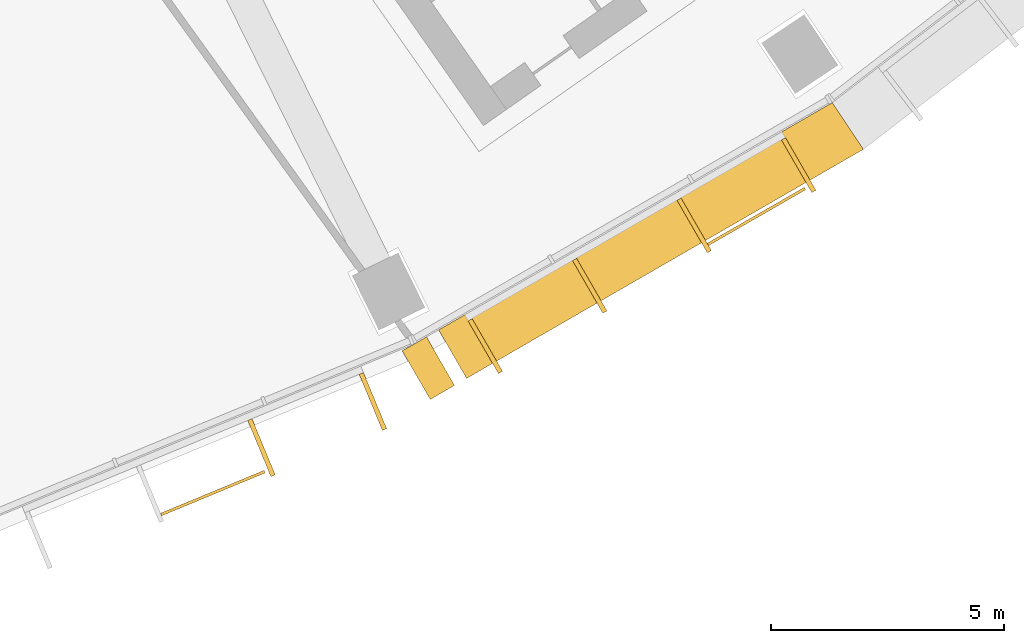
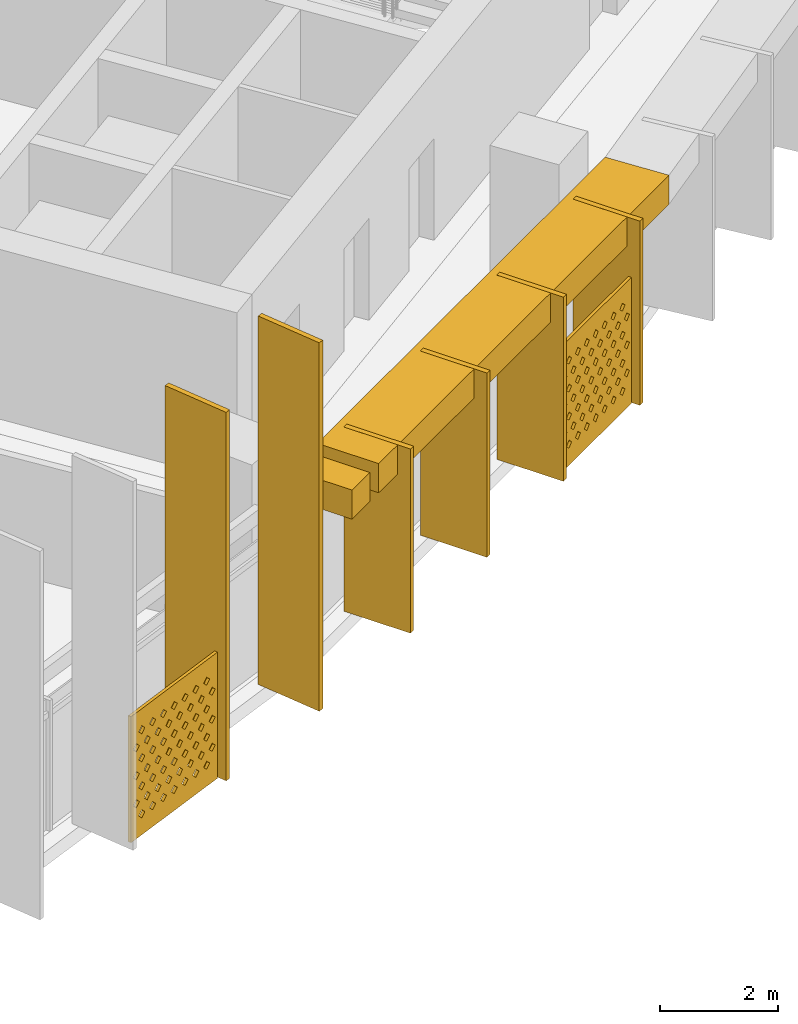
# One storey, part 27 of 31: 10 shading devices.
"""IFC4 building model written with IfcOpenShell, lengths in metres."""

import ifcopenshell
import ifcopenshell.guid

model = None  # the IFC model being written
_history = None  # IfcOwnerHistory: only IFC2X3 demands one
_inside = {}  # id of a spatial element -> (the spatial element, [elements in it])
_under = {}  # id of a project, library or spatial element -> (it, [spatial elements below it])
_declared = {}  # id of a project -> (the project, [libraries it declares])
_typed = {}  # id of a type object -> (the type object, [elements of that type])
_made_of = {}  # id of a material, layer set ... -> (it, [elements and type objects made of it])


def new_model(schema):
    """Start an empty IFC model of exactly this schema.

    Asked for "IFC4X3", IfcOpenShell would pick the latest addendum, in which some entities
    have other attributes; the version numbers below select the first issue.
    IFC2X3 requires an IfcOwnerHistory on every rooted entity: one is made here for all.
    """
    global model, _history
    if schema == "IFC4X3":
        model = ifcopenshell.file(schema_version=(4, 3, 0, 0))
    else:
        model = ifcopenshell.file(schema=schema)
    _inside.clear()
    _under.clear()
    _declared.clear()
    _typed.clear()
    _made_of.clear()
    _history = None
    if model.schema == "IFC2X3":
        org = make("IfcOrganization", Name="unknown")
        user = make(
            "IfcPersonAndOrganization",
            ThePerson=make("IfcPerson", FamilyName="unknown"),
            TheOrganization=org,
        )
        app = make(
            "IfcApplication",
            ApplicationDeveloper=org,
            Version="unknown",
            ApplicationFullName="unknown",
            ApplicationIdentifier="unknown",
        )
        _history = make(
            "IfcOwnerHistory",
            OwningUser=user,
            OwningApplication=app,
            ChangeAction="ADDED",
            CreationDate=0,
        )
    return model


def make(cls, **values):
    """One entity of the class cls with the attributes given. An attribute that is None is left unset."""
    return model.create_entity(
        cls, **{name: value for name, value in values.items() if value is not None}
    )


def rooted(cls, **values):
    """An entity with a GlobalId (a new one), such as an element, a storey or a relation."""
    return make(cls, GlobalId=ifcopenshell.guid.new(), OwnerHistory=_history, **values)


def si_unit(unit_type, name, prefix=None):
    """IfcSIUnit, for example si_unit("LENGTHUNIT", "METRE", prefix="MILLI")."""
    return make("IfcSIUnit", UnitType=unit_type, Prefix=prefix, Name=name)


def assignment(units):
    """IfcUnitAssignment: the units of a project."""
    return None if units is None else make("IfcUnitAssignment", Units=units)


def point(xyz):
    """IfcCartesianPoint."""
    return None if xyz is None else make("IfcCartesianPoint", Coordinates=xyz)


def direction(xyz):
    """IfcDirection."""
    return None if xyz is None else make("IfcDirection", DirectionRatios=xyz)


def frame(location, z_axis=None, x_axis=None):
    """IfcAxis2Placement3D, a coordinate frame: its origin and axes. An axis left out is left unset."""
    return make(
        "IfcAxis2Placement3D",
        Location=point(location),
        Axis=direction(z_axis),
        RefDirection=direction(x_axis),
    )


def frame_2d(location, x_axis=None):
    """IfcAxis2Placement2D, a coordinate frame in the plane: its origin and x axis."""
    return make(
        "IfcAxis2Placement2D", Location=point(location), RefDirection=direction(x_axis)
    )


def origin():
    """The frame at (0, 0, 0) with its axes left unset."""
    return frame((0.0, 0.0, 0.0))


def origin_2d():
    """The frame at (0, 0) in the plane with its x axis left unset."""
    return frame_2d((0.0, 0.0))


def place(relative_to, where):
    """IfcLocalPlacement: puts the frame where relative to a parent placement (None: the world)."""
    return make(
        "IfcLocalPlacement", PlacementRelTo=relative_to, RelativePlacement=where
    )


def context(
    kind, dimensions, precision=None, world=None, true_north=None, identifier=None
):
    """IfcGeometricRepresentationContext, for example the 3D "Model" context."""
    return make(
        "IfcGeometricRepresentationContext",
        ContextIdentifier=identifier,
        ContextType=kind,
        CoordinateSpaceDimension=dimensions,
        Precision=precision,
        WorldCoordinateSystem=world,
        TrueNorth=true_north,
    )


def subcontext(parent, identifier, kind, view, scale=None):
    """IfcGeometricRepresentationSubContext, for example "Body" below "Model"."""
    return make(
        "IfcGeometricRepresentationSubContext",
        ContextIdentifier=identifier,
        ContextType=kind,
        ParentContext=parent,
        TargetScale=scale,
        TargetView=view,
    )


def project(units=None, contexts=None):
    """IfcProject with its units and contexts."""
    return rooted(
        "IfcProject",
        Name="project",
        RepresentationContexts=contexts,
        UnitsInContext=assignment(units),
    )


def spatial(cls, under=None, at=None, **own):
    """A site, building, storey or space (cls), placed at a placement, below another one or the project."""
    s = rooted(cls, ObjectPlacement=at, **own)
    if under is not None:
        _under.setdefault(under.id(), (under, []))[1].append(s)
    return s


def polyline(points):
    """IfcPolyline through the points."""
    return make("IfcPolyline", Points=[point(p) for p in points])


def profile(cls, at=None, kind="AREA", **sizes):
    """A parametric profile (cls). Its sizes go by their IFC names, for example OverallWidth=200.0."""
    return make(cls, ProfileType=kind, Position=at, **sizes)


def rectangle(**sizes):
    """IfcRectangleProfileDef."""
    return profile("IfcRectangleProfileDef", **sizes)


def outline(outer, holes=None, kind="AREA"):
    """IfcArbitraryClosedProfileDef: a profile drawn as a closed curve; with holes, ...WithVoids."""
    if holes is None:
        return make("IfcArbitraryClosedProfileDef", ProfileType=kind, OuterCurve=outer)
    return make(
        "IfcArbitraryProfileDefWithVoids",
        ProfileType=kind,
        OuterCurve=outer,
        InnerCurves=holes,
    )


def extrude(swept, where, along, depth):
    """IfcExtrudedAreaSolid: the profile swept, set in the frame where, extruded along a direction by depth."""
    return make(
        "IfcExtrudedAreaSolid",
        SweptArea=swept,
        Position=where,
        ExtrudedDirection=direction(along),
        Depth=depth,
    )


def shape(context_of_items, identifier, shape_type, items):
    """IfcShapeRepresentation: the items that make up one representation, for example the "Body"."""
    return make(
        "IfcShapeRepresentation",
        ContextOfItems=context_of_items,
        RepresentationIdentifier=identifier,
        RepresentationType=shape_type,
        Items=items,
    )


def material(Name=None, Category=None):
    """IfcMaterial."""
    return make("IfcMaterial", Name=Name, Category=Category)


def material_profile(
    of_material, cross_section, Name=None, Category=None, Priority=None
):
    """IfcMaterialProfile: a cross section and its material."""
    return make(
        "IfcMaterialProfile",
        Name=Name,
        Material=of_material,
        Profile=cross_section,
        Priority=Priority,
        Category=Category,
    )


def profile_set(profiles, Name=None, composite=None):
    """IfcMaterialProfileSet."""
    return make(
        "IfcMaterialProfileSet",
        Name=Name,
        MaterialProfiles=profiles,
        CompositeProfile=composite,
    )


def made_of(thing, what):
    """Note that an element or type object is made of a material, layer set ...; save() writes the relation."""
    if what is not None:
        _made_of.setdefault(what.id(), (what, []))[1].append(thing)
    return thing


def type_object(cls, material=None, **own):
    """A type object (cls), such as IfcWallType, which elements share."""
    return made_of(rooted(cls, **own), material)


def element(
    cls,
    number,
    at=None,
    inside=None,
    cuts=None,
    type_object=None,
    material=None,
    context=None,
    identifier="Body",
    shape_type=None,
    held_by="IfcProductDefinitionShape",
    body=None,
    shapes=None,
    **own,
):
    """One element of the class cls, such as IfcWall. Its Tag is "e" and its number.

    at: its placement. inside: the storey or other place that contains it. cuts: it is an
    opening in that element (IfcRelVoidsElement). A single representation is given by context,
    identifier, shape_type and body (its items); several are given by shapes. held_by: the class
    of the entity that holds the representations. save() writes the other relations.
    """
    e = rooted(cls, Tag="e%d" % number, ObjectPlacement=at, **own)
    if body is not None:
        shapes = [shape(context, identifier, shape_type, body)]
    if shapes is not None:
        e.Representation = make(held_by, Representations=shapes)
    if inside is not None:
        _inside.setdefault(inside.id(), (inside, []))[1].append(e)
    if cuts is not None:
        rooted(
            "IfcRelVoidsElement", RelatingBuildingElement=cuts, RelatedOpeningElement=e
        )
    if type_object is not None:
        _typed.setdefault(type_object.id(), (type_object, []))[1].append(e)
    return made_of(e, material)


def aggregate(whole, parts):
    """IfcRelAggregates: a whole, such as a stair, and the parts it consists of."""
    return rooted("IfcRelAggregates", RelatingObject=whole, RelatedObjects=parts)


def save(model, path):
    """Write the relations noted so far, then the file.

    IfcRelAggregates (storeys below a building ...), IfcRelContainedInSpatialStructure (elements
    in a storey), IfcRelDefinesByType, IfcRelAssociatesMaterial and IfcRelDeclares: one each for
    every whole, place, type object, material and project.
    """
    for whole, parts in _under.values():
        aggregate(whole, parts)
    for where, things in _inside.values():
        rooted(
            "IfcRelContainedInSpatialStructure",
            RelatedElements=things,
            RelatingStructure=where,
        )
    for kind, things in _typed.values():
        rooted("IfcRelDefinesByType", RelatedObjects=things, RelatingType=kind)
    for what, things in _made_of.values():
        rooted("IfcRelAssociatesMaterial", RelatedObjects=things, RelatingMaterial=what)
    for by, libraries in _declared.values():
        rooted("IfcRelDeclares", RelatingContext=by, RelatedDefinitions=libraries)
    model.write(path)


model = new_model("IFC4")

# Units and contexts
model_context = context("Model", 3, precision=1e-05, world=origin(), true_north=direction((0.0, 1.0)))
body_context = subcontext(model_context, "Body", "Model", "MODEL_VIEW")
ifc_project = project(units=[si_unit("LENGTHUNIT", "METRE"), si_unit("AREAUNIT", "SQUARE_METRE"), si_unit("VOLUMEUNIT", "CUBIC_METRE"), si_unit("PLANEANGLEUNIT", "RADIAN"), si_unit("MASSUNIT", "GRAM", prefix="KILO")], contexts=[model_context])

# Site, building, storey
site_placement = place(None, origin())
site = spatial("IfcSite", under=ifc_project, at=site_placement, CompositionType="ELEMENT")
building_placement = place(site_placement, origin())
building = spatial("IfcBuilding", under=site, at=building_placement, Name="Qamariyya Broadcast Tower", CompositionType="ELEMENT")
storey_placement = place(building_placement, frame((0.0, 0.0, 149.300048828125)))
storey = spatial("IfcBuildingStorey", under=building, at=storey_placement, Name="L34", CompositionType="ELEMENT", Elevation=149.300048828125)

# Shading devices
ifc_material_1 = material(Name="Steel S355 powder coated deep red", Category="steel")
shading_device_type_1 = type_object("IfcShadingDeviceType", Name="Deep red frame, powder coated steel box section", PredefinedType="USERDEFINED", material=ifc_material_1)
shading_device_1_placement = place(storey_placement, frame((0.0, 0.0, 3.199951171875)))
element("IfcShadingDevice", 1, at=shading_device_1_placement, inside=storey, type_object=shading_device_type_1, Name="e-frm-B3-F4-posta-L34", ObjectType="FRAME", PredefinedType="USERDEFINED", context=body_context, shape_type="SweptSolid", body=[
    extrude(outline(polyline([(34.680908203125, -71.0029296875), (35.281005859375, -72.042236328125), (35.800537109375, -71.7421875), (35.20068359375, -70.702880859375), (34.680908203125, -71.0029296875)])), origin(), (0.0, 0.0, 1.0), 0.60009765625),
])
shading_device_2_placement = place(storey_placement, frame((0.0, 0.0, 3.199951171875)))
element("IfcShadingDevice", 2, at=shading_device_2_placement, inside=storey, type_object=shading_device_type_1, Name="e-frm-B3-F4-bot0", ObjectType="FRAME", PredefinedType="USERDEFINED", context=body_context, shape_type="SweptSolid", body=[
    extrude(outline(polyline([(35.46044921875, -70.552978515625), (36.060302734375, -71.59228515625), (44.55810546875, -66.68603515625), (43.89013671875, -65.68603515625), (35.46044921875, -70.552978515625)])), origin(), (0.0, 0.0, 1.0), 0.60009765625),
])
ifc_material_2 = material(Name="Perforated glazed terracotta", Category="masonry")
ifc_material_profile_1 = material_profile(ifc_material_2, outline(polyline([(-1.199951171875, -1.300048828125), (1.199951171875, -1.300048828125), (1.199951171875, 1.300048828125), (-1.199951171875, 1.300048828125), (-1.199951171875, -1.300048828125)]), holes=[polyline([(-0.81494140625, -0.86669921875), (-0.89990234375, -0.78173828125), (-0.985107421875, -0.86669921875), (-0.89990234375, -0.95166015625), (-0.81494140625, -0.86669921875)]), polyline([(-0.514892578125, -0.86669921875), (-0.60009765625, -0.78173828125), (-0.68505859375, -0.86669921875), (-0.60009765625, -0.95166015625), (-0.514892578125, -0.86669921875)]), polyline([(-0.215087890625, -0.86669921875), (-0.300048828125, -0.78173828125), (-0.385009765625, -0.86669921875), (-0.300048828125, -0.95166015625), (-0.215087890625, -0.86669921875)]), polyline([(0.0849609375, -0.86669921875), (0.0, -0.78173828125), (-0.0849609375, -0.86669921875), (0.0, -0.95166015625), (0.0849609375, -0.86669921875)]), polyline([(0.385009765625, -0.86669921875), (0.300048828125, -0.78173828125), (0.215087890625, -0.86669921875), (0.300048828125, -0.95166015625), (0.385009765625, -0.86669921875)]), polyline([(0.68505859375, -0.86669921875), (0.60009765625, -0.78173828125), (0.514892578125, -0.86669921875), (0.60009765625, -0.95166015625), (0.68505859375, -0.86669921875)]), polyline([(0.985107421875, -0.86669921875), (0.89990234375, -0.78173828125), (0.81494140625, -0.86669921875), (0.89990234375, -0.95166015625), (0.985107421875, -0.86669921875)]), polyline([(-0.965087890625, -0.577880859375), (-1.050048828125, -0.49267578125), (-1.135009765625, -0.577880859375), (-1.050048828125, -0.662841796875), (-0.965087890625, -0.577880859375)]), polyline([(-0.6650390625, -0.577880859375), (-0.75, -0.49267578125), (-0.8349609375, -0.577880859375), (-0.75, -0.662841796875), (-0.6650390625, -0.577880859375)]), polyline([(-0.364990234375, -0.577880859375), (-0.449951171875, -0.49267578125), (-0.534912109375, -0.577880859375), (-0.449951171875, -0.662841796875), (-0.364990234375, -0.577880859375)]), polyline([(-0.06494140625, -0.577880859375), (-0.14990234375, -0.49267578125), (-0.235107421875, -0.577880859375), (-0.14990234375, -0.662841796875), (-0.06494140625, -0.577880859375)]), polyline([(0.235107421875, -0.577880859375), (0.14990234375, -0.49267578125), (0.06494140625, -0.577880859375), (0.14990234375, -0.662841796875), (0.235107421875, -0.577880859375)]), polyline([(0.534912109375, -0.577880859375), (0.449951171875, -0.49267578125), (0.364990234375, -0.577880859375), (0.449951171875, -0.662841796875), (0.534912109375, -0.577880859375)]), polyline([(0.8349609375, -0.577880859375), (0.75, -0.49267578125), (0.6650390625, -0.577880859375), (0.75, -0.662841796875), (0.8349609375, -0.577880859375)]), polyline([(1.135009765625, -0.577880859375), (1.050048828125, -0.49267578125), (0.965087890625, -0.577880859375), (1.050048828125, -0.662841796875), (1.135009765625, -0.577880859375)]), polyline([(-0.81494140625, -0.288818359375), (-0.89990234375, -0.203857421875), (-0.985107421875, -0.288818359375), (-0.89990234375, -0.373779296875), (-0.81494140625, -0.288818359375)]), polyline([(-0.514892578125, -0.288818359375), (-0.60009765625, -0.203857421875), (-0.68505859375, -0.288818359375), (-0.60009765625, -0.373779296875), (-0.514892578125, -0.288818359375)]), polyline([(-0.215087890625, -0.288818359375), (-0.300048828125, -0.203857421875), (-0.385009765625, -0.288818359375), (-0.300048828125, -0.373779296875), (-0.215087890625, -0.288818359375)]), polyline([(0.0849609375, -0.288818359375), (0.0, -0.203857421875), (-0.0849609375, -0.288818359375), (0.0, -0.373779296875), (0.0849609375, -0.288818359375)]), polyline([(0.385009765625, -0.288818359375), (0.300048828125, -0.203857421875), (0.215087890625, -0.288818359375), (0.300048828125, -0.373779296875), (0.385009765625, -0.288818359375)]), polyline([(0.68505859375, -0.288818359375), (0.60009765625, -0.203857421875), (0.514892578125, -0.288818359375), (0.60009765625, -0.373779296875), (0.68505859375, -0.288818359375)]), polyline([(0.985107421875, -0.288818359375), (0.89990234375, -0.203857421875), (0.81494140625, -0.288818359375), (0.89990234375, -0.373779296875), (0.985107421875, -0.288818359375)]), polyline([(-0.965087890625, 0.0), (-1.050048828125, 0.0849609375), (-1.135009765625, 0.0), (-1.050048828125, -0.0849609375), (-0.965087890625, 0.0)]), polyline([(-0.6650390625, 0.0), (-0.75, 0.0849609375), (-0.8349609375, 0.0), (-0.75, -0.0849609375), (-0.6650390625, 0.0)]), polyline([(-0.364990234375, 0.0), (-0.449951171875, 0.0849609375), (-0.534912109375, 0.0), (-0.449951171875, -0.0849609375), (-0.364990234375, 0.0)]), polyline([(-0.06494140625, 0.0), (-0.14990234375, 0.0849609375), (-0.235107421875, 0.0), (-0.14990234375, -0.0849609375), (-0.06494140625, 0.0)]), polyline([(0.235107421875, 0.0), (0.14990234375, 0.0849609375), (0.06494140625, 0.0), (0.14990234375, -0.0849609375), (0.235107421875, 0.0)]), polyline([(0.534912109375, 0.0), (0.449951171875, 0.0849609375), (0.364990234375, 0.0), (0.449951171875, -0.0849609375), (0.534912109375, 0.0)]), polyline([(0.8349609375, 0.0), (0.75, 0.0849609375), (0.6650390625, 0.0), (0.75, -0.0849609375), (0.8349609375, 0.0)]), polyline([(1.135009765625, 0.0), (1.050048828125, 0.0849609375), (0.965087890625, 0.0), (1.050048828125, -0.0849609375), (1.135009765625, 0.0)]), polyline([(-0.81494140625, 0.288818359375), (-0.89990234375, 0.373779296875), (-0.985107421875, 0.288818359375), (-0.89990234375, 0.203857421875), (-0.81494140625, 0.288818359375)]), polyline([(-0.514892578125, 0.288818359375), (-0.60009765625, 0.373779296875), (-0.68505859375, 0.288818359375), (-0.60009765625, 0.203857421875), (-0.514892578125, 0.288818359375)]), polyline([(-0.215087890625, 0.288818359375), (-0.300048828125, 0.373779296875), (-0.385009765625, 0.288818359375), (-0.300048828125, 0.203857421875), (-0.215087890625, 0.288818359375)]), polyline([(0.0849609375, 0.288818359375), (0.0, 0.373779296875), (-0.0849609375, 0.288818359375), (0.0, 0.203857421875), (0.0849609375, 0.288818359375)]), polyline([(0.385009765625, 0.288818359375), (0.300048828125, 0.373779296875), (0.215087890625, 0.288818359375), (0.300048828125, 0.203857421875), (0.385009765625, 0.288818359375)]), polyline([(0.68505859375, 0.288818359375), (0.60009765625, 0.373779296875), (0.514892578125, 0.288818359375), (0.60009765625, 0.203857421875), (0.68505859375, 0.288818359375)]), polyline([(0.985107421875, 0.288818359375), (0.89990234375, 0.373779296875), (0.81494140625, 0.288818359375), (0.89990234375, 0.203857421875), (0.985107421875, 0.288818359375)]), polyline([(-0.965087890625, 0.577880859375), (-1.050048828125, 0.662841796875), (-1.135009765625, 0.577880859375), (-1.050048828125, 0.49267578125), (-0.965087890625, 0.577880859375)]), polyline([(-0.6650390625, 0.577880859375), (-0.75, 0.662841796875), (-0.8349609375, 0.577880859375), (-0.75, 0.49267578125), (-0.6650390625, 0.577880859375)]), polyline([(-0.364990234375, 0.577880859375), (-0.449951171875, 0.662841796875), (-0.534912109375, 0.577880859375), (-0.449951171875, 0.49267578125), (-0.364990234375, 0.577880859375)]), polyline([(-0.06494140625, 0.577880859375), (-0.14990234375, 0.662841796875), (-0.235107421875, 0.577880859375), (-0.14990234375, 0.49267578125), (-0.06494140625, 0.577880859375)]), polyline([(0.235107421875, 0.577880859375), (0.14990234375, 0.662841796875), (0.06494140625, 0.577880859375), (0.14990234375, 0.49267578125), (0.235107421875, 0.577880859375)]), polyline([(0.534912109375, 0.577880859375), (0.449951171875, 0.662841796875), (0.364990234375, 0.577880859375), (0.449951171875, 0.49267578125), (0.534912109375, 0.577880859375)]), polyline([(0.8349609375, 0.577880859375), (0.75, 0.662841796875), (0.6650390625, 0.577880859375), (0.75, 0.49267578125), (0.8349609375, 0.577880859375)]), polyline([(1.135009765625, 0.577880859375), (1.050048828125, 0.662841796875), (0.965087890625, 0.577880859375), (1.050048828125, 0.49267578125), (1.135009765625, 0.577880859375)]), polyline([(-0.81494140625, 0.86669921875), (-0.89990234375, 0.95166015625), (-0.985107421875, 0.86669921875), (-0.89990234375, 0.78173828125), (-0.81494140625, 0.86669921875)]), polyline([(-0.514892578125, 0.86669921875), (-0.60009765625, 0.95166015625), (-0.68505859375, 0.86669921875), (-0.60009765625, 0.78173828125), (-0.514892578125, 0.86669921875)]), polyline([(-0.215087890625, 0.86669921875), (-0.300048828125, 0.95166015625), (-0.385009765625, 0.86669921875), (-0.300048828125, 0.78173828125), (-0.215087890625, 0.86669921875)]), polyline([(0.0849609375, 0.86669921875), (0.0, 0.95166015625), (-0.0849609375, 0.86669921875), (0.0, 0.78173828125), (0.0849609375, 0.86669921875)]), polyline([(0.385009765625, 0.86669921875), (0.300048828125, 0.95166015625), (0.215087890625, 0.86669921875), (0.300048828125, 0.78173828125), (0.385009765625, 0.86669921875)]), polyline([(0.68505859375, 0.86669921875), (0.60009765625, 0.95166015625), (0.514892578125, 0.86669921875), (0.60009765625, 0.78173828125), (0.68505859375, 0.86669921875)]), polyline([(0.985107421875, 0.86669921875), (0.89990234375, 0.95166015625), (0.81494140625, 0.86669921875), (0.89990234375, 0.78173828125), (0.985107421875, 0.86669921875)])]))
ifc_profile_set_1 = profile_set([ifc_material_profile_1], Name="Perforated glazed terracotta")
shading_device_type_2 = type_object("IfcShadingDeviceType", Name="Perforated terracotta screen 2400 x 2600", PredefinedType="USERDEFINED", material=ifc_profile_set_1)
shading_device_3_placement = place(storey_placement, frame((30.61474609375, -74.01953125, 1.349853515625), z_axis=(0.382591441855, -0.923917630863, 0.0), x_axis=(0.923917630863, 0.382591441855, 0.0)))
element("IfcShadingDevice", 3, at=shading_device_3_placement, inside=storey, type_object=shading_device_type_2, Name="e-scr-L34-10-1", ObjectType="SCREEN", PredefinedType="USERDEFINED", context=body_context, shape_type="SweptSolid", body=[
    extrude(outline(polyline([(-1.199951171875, -1.300048828125), (1.199951171875, -1.300048828125), (1.199951171875, 1.300048828125), (-1.199951171875, 1.300048828125), (-1.199951171875, -1.300048828125)]), holes=[polyline([(-0.81494140625, -0.86669921875), (-0.89990234375, -0.78173828125), (-0.985107421875, -0.86669921875), (-0.89990234375, -0.95166015625), (-0.81494140625, -0.86669921875)]), polyline([(-0.514892578125, -0.86669921875), (-0.60009765625, -0.78173828125), (-0.68505859375, -0.86669921875), (-0.60009765625, -0.95166015625), (-0.514892578125, -0.86669921875)]), polyline([(-0.215087890625, -0.86669921875), (-0.300048828125, -0.78173828125), (-0.385009765625, -0.86669921875), (-0.300048828125, -0.95166015625), (-0.215087890625, -0.86669921875)]), polyline([(0.0849609375, -0.86669921875), (0.0, -0.78173828125), (-0.0849609375, -0.86669921875), (0.0, -0.95166015625), (0.0849609375, -0.86669921875)]), polyline([(0.385009765625, -0.86669921875), (0.300048828125, -0.78173828125), (0.215087890625, -0.86669921875), (0.300048828125, -0.95166015625), (0.385009765625, -0.86669921875)]), polyline([(0.68505859375, -0.86669921875), (0.60009765625, -0.78173828125), (0.514892578125, -0.86669921875), (0.60009765625, -0.95166015625), (0.68505859375, -0.86669921875)]), polyline([(0.985107421875, -0.86669921875), (0.89990234375, -0.78173828125), (0.81494140625, -0.86669921875), (0.89990234375, -0.95166015625), (0.985107421875, -0.86669921875)]), polyline([(-0.965087890625, -0.577880859375), (-1.050048828125, -0.49267578125), (-1.135009765625, -0.577880859375), (-1.050048828125, -0.662841796875), (-0.965087890625, -0.577880859375)]), polyline([(-0.6650390625, -0.577880859375), (-0.75, -0.49267578125), (-0.8349609375, -0.577880859375), (-0.75, -0.662841796875), (-0.6650390625, -0.577880859375)]), polyline([(-0.364990234375, -0.577880859375), (-0.449951171875, -0.49267578125), (-0.534912109375, -0.577880859375), (-0.449951171875, -0.662841796875), (-0.364990234375, -0.577880859375)]), polyline([(-0.06494140625, -0.577880859375), (-0.14990234375, -0.49267578125), (-0.235107421875, -0.577880859375), (-0.14990234375, -0.662841796875), (-0.06494140625, -0.577880859375)]), polyline([(0.235107421875, -0.577880859375), (0.14990234375, -0.49267578125), (0.06494140625, -0.577880859375), (0.14990234375, -0.662841796875), (0.235107421875, -0.577880859375)]), polyline([(0.534912109375, -0.577880859375), (0.449951171875, -0.49267578125), (0.364990234375, -0.577880859375), (0.449951171875, -0.662841796875), (0.534912109375, -0.577880859375)]), polyline([(0.8349609375, -0.577880859375), (0.75, -0.49267578125), (0.6650390625, -0.577880859375), (0.75, -0.662841796875), (0.8349609375, -0.577880859375)]), polyline([(1.135009765625, -0.577880859375), (1.050048828125, -0.49267578125), (0.965087890625, -0.577880859375), (1.050048828125, -0.662841796875), (1.135009765625, -0.577880859375)]), polyline([(-0.81494140625, -0.288818359375), (-0.89990234375, -0.203857421875), (-0.985107421875, -0.288818359375), (-0.89990234375, -0.373779296875), (-0.81494140625, -0.288818359375)]), polyline([(-0.514892578125, -0.288818359375), (-0.60009765625, -0.203857421875), (-0.68505859375, -0.288818359375), (-0.60009765625, -0.373779296875), (-0.514892578125, -0.288818359375)]), polyline([(-0.215087890625, -0.288818359375), (-0.300048828125, -0.203857421875), (-0.385009765625, -0.288818359375), (-0.300048828125, -0.373779296875), (-0.215087890625, -0.288818359375)]), polyline([(0.0849609375, -0.288818359375), (0.0, -0.203857421875), (-0.0849609375, -0.288818359375), (0.0, -0.373779296875), (0.0849609375, -0.288818359375)]), polyline([(0.385009765625, -0.288818359375), (0.300048828125, -0.203857421875), (0.215087890625, -0.288818359375), (0.300048828125, -0.373779296875), (0.385009765625, -0.288818359375)]), polyline([(0.68505859375, -0.288818359375), (0.60009765625, -0.203857421875), (0.514892578125, -0.288818359375), (0.60009765625, -0.373779296875), (0.68505859375, -0.288818359375)]), polyline([(0.985107421875, -0.288818359375), (0.89990234375, -0.203857421875), (0.81494140625, -0.288818359375), (0.89990234375, -0.373779296875), (0.985107421875, -0.288818359375)]), polyline([(-0.965087890625, 0.0), (-1.050048828125, 0.0849609375), (-1.135009765625, 0.0), (-1.050048828125, -0.0849609375), (-0.965087890625, 0.0)]), polyline([(-0.6650390625, 0.0), (-0.75, 0.0849609375), (-0.8349609375, 0.0), (-0.75, -0.0849609375), (-0.6650390625, 0.0)]), polyline([(-0.364990234375, 0.0), (-0.449951171875, 0.0849609375), (-0.534912109375, 0.0), (-0.449951171875, -0.0849609375), (-0.364990234375, 0.0)]), polyline([(-0.06494140625, 0.0), (-0.14990234375, 0.0849609375), (-0.235107421875, 0.0), (-0.14990234375, -0.0849609375), (-0.06494140625, 0.0)]), polyline([(0.235107421875, 0.0), (0.14990234375, 0.0849609375), (0.06494140625, 0.0), (0.14990234375, -0.0849609375), (0.235107421875, 0.0)]), polyline([(0.534912109375, 0.0), (0.449951171875, 0.0849609375), (0.364990234375, 0.0), (0.449951171875, -0.0849609375), (0.534912109375, 0.0)]), polyline([(0.8349609375, 0.0), (0.75, 0.0849609375), (0.6650390625, 0.0), (0.75, -0.0849609375), (0.8349609375, 0.0)]), polyline([(1.135009765625, 0.0), (1.050048828125, 0.0849609375), (0.965087890625, 0.0), (1.050048828125, -0.0849609375), (1.135009765625, 0.0)]), polyline([(-0.81494140625, 0.288818359375), (-0.89990234375, 0.373779296875), (-0.985107421875, 0.288818359375), (-0.89990234375, 0.203857421875), (-0.81494140625, 0.288818359375)]), polyline([(-0.514892578125, 0.288818359375), (-0.60009765625, 0.373779296875), (-0.68505859375, 0.288818359375), (-0.60009765625, 0.203857421875), (-0.514892578125, 0.288818359375)]), polyline([(-0.215087890625, 0.288818359375), (-0.300048828125, 0.373779296875), (-0.385009765625, 0.288818359375), (-0.300048828125, 0.203857421875), (-0.215087890625, 0.288818359375)]), polyline([(0.0849609375, 0.288818359375), (0.0, 0.373779296875), (-0.0849609375, 0.288818359375), (0.0, 0.203857421875), (0.0849609375, 0.288818359375)]), polyline([(0.385009765625, 0.288818359375), (0.300048828125, 0.373779296875), (0.215087890625, 0.288818359375), (0.300048828125, 0.203857421875), (0.385009765625, 0.288818359375)]), polyline([(0.68505859375, 0.288818359375), (0.60009765625, 0.373779296875), (0.514892578125, 0.288818359375), (0.60009765625, 0.203857421875), (0.68505859375, 0.288818359375)]), polyline([(0.985107421875, 0.288818359375), (0.89990234375, 0.373779296875), (0.81494140625, 0.288818359375), (0.89990234375, 0.203857421875), (0.985107421875, 0.288818359375)]), polyline([(-0.965087890625, 0.577880859375), (-1.050048828125, 0.662841796875), (-1.135009765625, 0.577880859375), (-1.050048828125, 0.49267578125), (-0.965087890625, 0.577880859375)]), polyline([(-0.6650390625, 0.577880859375), (-0.75, 0.662841796875), (-0.8349609375, 0.577880859375), (-0.75, 0.49267578125), (-0.6650390625, 0.577880859375)]), polyline([(-0.364990234375, 0.577880859375), (-0.449951171875, 0.662841796875), (-0.534912109375, 0.577880859375), (-0.449951171875, 0.49267578125), (-0.364990234375, 0.577880859375)]), polyline([(-0.06494140625, 0.577880859375), (-0.14990234375, 0.662841796875), (-0.235107421875, 0.577880859375), (-0.14990234375, 0.49267578125), (-0.06494140625, 0.577880859375)]), polyline([(0.235107421875, 0.577880859375), (0.14990234375, 0.662841796875), (0.06494140625, 0.577880859375), (0.14990234375, 0.49267578125), (0.235107421875, 0.577880859375)]), polyline([(0.534912109375, 0.577880859375), (0.449951171875, 0.662841796875), (0.364990234375, 0.577880859375), (0.449951171875, 0.49267578125), (0.534912109375, 0.577880859375)]), polyline([(0.8349609375, 0.577880859375), (0.75, 0.662841796875), (0.6650390625, 0.577880859375), (0.75, 0.49267578125), (0.8349609375, 0.577880859375)]), polyline([(1.135009765625, 0.577880859375), (1.050048828125, 0.662841796875), (0.965087890625, 0.577880859375), (1.050048828125, 0.49267578125), (1.135009765625, 0.577880859375)]), polyline([(-0.81494140625, 0.86669921875), (-0.89990234375, 0.95166015625), (-0.985107421875, 0.86669921875), (-0.89990234375, 0.78173828125), (-0.81494140625, 0.86669921875)]), polyline([(-0.514892578125, 0.86669921875), (-0.60009765625, 0.95166015625), (-0.68505859375, 0.86669921875), (-0.60009765625, 0.78173828125), (-0.514892578125, 0.86669921875)]), polyline([(-0.215087890625, 0.86669921875), (-0.300048828125, 0.95166015625), (-0.385009765625, 0.86669921875), (-0.300048828125, 0.78173828125), (-0.215087890625, 0.86669921875)]), polyline([(0.0849609375, 0.86669921875), (0.0, 0.95166015625), (-0.0849609375, 0.86669921875), (0.0, 0.78173828125), (0.0849609375, 0.86669921875)]), polyline([(0.385009765625, 0.86669921875), (0.300048828125, 0.95166015625), (0.215087890625, 0.86669921875), (0.300048828125, 0.78173828125), (0.385009765625, 0.86669921875)]), polyline([(0.68505859375, 0.86669921875), (0.60009765625, 0.95166015625), (0.514892578125, 0.86669921875), (0.60009765625, 0.78173828125), (0.68505859375, 0.86669921875)]), polyline([(0.985107421875, 0.86669921875), (0.89990234375, 0.95166015625), (0.81494140625, 0.86669921875), (0.89990234375, 0.78173828125), (0.985107421875, 0.86669921875)])]), origin(), (0.0, 0.0, 1.0), 0.06005859375),
])
shading_device_4_placement = place(storey_placement, frame((42.251708984375, -68.0986328125, 1.349853515625), z_axis=(0.498778343083, -0.866729579783, 0.0), x_axis=(0.866729579783, 0.498778343083, 0.0)))
element("IfcShadingDevice", 4, at=shading_device_4_placement, inside=storey, type_object=shading_device_type_2, Name="e-scr-L34-11-2", ObjectType="SCREEN", PredefinedType="USERDEFINED", context=body_context, shape_type="SweptSolid", body=[
    extrude(outline(polyline([(-1.199951171875, -1.300048828125), (1.199951171875, -1.300048828125), (1.199951171875, 1.300048828125), (-1.199951171875, 1.300048828125), (-1.199951171875, -1.300048828125)]), holes=[polyline([(-0.81494140625, -0.86669921875), (-0.89990234375, -0.78173828125), (-0.985107421875, -0.86669921875), (-0.89990234375, -0.95166015625), (-0.81494140625, -0.86669921875)]), polyline([(-0.514892578125, -0.86669921875), (-0.60009765625, -0.78173828125), (-0.68505859375, -0.86669921875), (-0.60009765625, -0.95166015625), (-0.514892578125, -0.86669921875)]), polyline([(-0.215087890625, -0.86669921875), (-0.300048828125, -0.78173828125), (-0.385009765625, -0.86669921875), (-0.300048828125, -0.95166015625), (-0.215087890625, -0.86669921875)]), polyline([(0.0849609375, -0.86669921875), (0.0, -0.78173828125), (-0.0849609375, -0.86669921875), (0.0, -0.95166015625), (0.0849609375, -0.86669921875)]), polyline([(0.385009765625, -0.86669921875), (0.300048828125, -0.78173828125), (0.215087890625, -0.86669921875), (0.300048828125, -0.95166015625), (0.385009765625, -0.86669921875)]), polyline([(0.68505859375, -0.86669921875), (0.60009765625, -0.78173828125), (0.514892578125, -0.86669921875), (0.60009765625, -0.95166015625), (0.68505859375, -0.86669921875)]), polyline([(0.985107421875, -0.86669921875), (0.89990234375, -0.78173828125), (0.81494140625, -0.86669921875), (0.89990234375, -0.95166015625), (0.985107421875, -0.86669921875)]), polyline([(-0.965087890625, -0.577880859375), (-1.050048828125, -0.49267578125), (-1.135009765625, -0.577880859375), (-1.050048828125, -0.662841796875), (-0.965087890625, -0.577880859375)]), polyline([(-0.6650390625, -0.577880859375), (-0.75, -0.49267578125), (-0.8349609375, -0.577880859375), (-0.75, -0.662841796875), (-0.6650390625, -0.577880859375)]), polyline([(-0.364990234375, -0.577880859375), (-0.449951171875, -0.49267578125), (-0.534912109375, -0.577880859375), (-0.449951171875, -0.662841796875), (-0.364990234375, -0.577880859375)]), polyline([(-0.06494140625, -0.577880859375), (-0.14990234375, -0.49267578125), (-0.235107421875, -0.577880859375), (-0.14990234375, -0.662841796875), (-0.06494140625, -0.577880859375)]), polyline([(0.235107421875, -0.577880859375), (0.14990234375, -0.49267578125), (0.06494140625, -0.577880859375), (0.14990234375, -0.662841796875), (0.235107421875, -0.577880859375)]), polyline([(0.534912109375, -0.577880859375), (0.449951171875, -0.49267578125), (0.364990234375, -0.577880859375), (0.449951171875, -0.662841796875), (0.534912109375, -0.577880859375)]), polyline([(0.8349609375, -0.577880859375), (0.75, -0.49267578125), (0.6650390625, -0.577880859375), (0.75, -0.662841796875), (0.8349609375, -0.577880859375)]), polyline([(1.135009765625, -0.577880859375), (1.050048828125, -0.49267578125), (0.965087890625, -0.577880859375), (1.050048828125, -0.662841796875), (1.135009765625, -0.577880859375)]), polyline([(-0.81494140625, -0.288818359375), (-0.89990234375, -0.203857421875), (-0.985107421875, -0.288818359375), (-0.89990234375, -0.373779296875), (-0.81494140625, -0.288818359375)]), polyline([(-0.514892578125, -0.288818359375), (-0.60009765625, -0.203857421875), (-0.68505859375, -0.288818359375), (-0.60009765625, -0.373779296875), (-0.514892578125, -0.288818359375)]), polyline([(-0.215087890625, -0.288818359375), (-0.300048828125, -0.203857421875), (-0.385009765625, -0.288818359375), (-0.300048828125, -0.373779296875), (-0.215087890625, -0.288818359375)]), polyline([(0.0849609375, -0.288818359375), (0.0, -0.203857421875), (-0.0849609375, -0.288818359375), (0.0, -0.373779296875), (0.0849609375, -0.288818359375)]), polyline([(0.385009765625, -0.288818359375), (0.300048828125, -0.203857421875), (0.215087890625, -0.288818359375), (0.300048828125, -0.373779296875), (0.385009765625, -0.288818359375)]), polyline([(0.68505859375, -0.288818359375), (0.60009765625, -0.203857421875), (0.514892578125, -0.288818359375), (0.60009765625, -0.373779296875), (0.68505859375, -0.288818359375)]), polyline([(0.985107421875, -0.288818359375), (0.89990234375, -0.203857421875), (0.81494140625, -0.288818359375), (0.89990234375, -0.373779296875), (0.985107421875, -0.288818359375)]), polyline([(-0.965087890625, 0.0), (-1.050048828125, 0.0849609375), (-1.135009765625, 0.0), (-1.050048828125, -0.0849609375), (-0.965087890625, 0.0)]), polyline([(-0.6650390625, 0.0), (-0.75, 0.0849609375), (-0.8349609375, 0.0), (-0.75, -0.0849609375), (-0.6650390625, 0.0)]), polyline([(-0.364990234375, 0.0), (-0.449951171875, 0.0849609375), (-0.534912109375, 0.0), (-0.449951171875, -0.0849609375), (-0.364990234375, 0.0)]), polyline([(-0.06494140625, 0.0), (-0.14990234375, 0.0849609375), (-0.235107421875, 0.0), (-0.14990234375, -0.0849609375), (-0.06494140625, 0.0)]), polyline([(0.235107421875, 0.0), (0.14990234375, 0.0849609375), (0.06494140625, 0.0), (0.14990234375, -0.0849609375), (0.235107421875, 0.0)]), polyline([(0.534912109375, 0.0), (0.449951171875, 0.0849609375), (0.364990234375, 0.0), (0.449951171875, -0.0849609375), (0.534912109375, 0.0)]), polyline([(0.8349609375, 0.0), (0.75, 0.0849609375), (0.6650390625, 0.0), (0.75, -0.0849609375), (0.8349609375, 0.0)]), polyline([(1.135009765625, 0.0), (1.050048828125, 0.0849609375), (0.965087890625, 0.0), (1.050048828125, -0.0849609375), (1.135009765625, 0.0)]), polyline([(-0.81494140625, 0.288818359375), (-0.89990234375, 0.373779296875), (-0.985107421875, 0.288818359375), (-0.89990234375, 0.203857421875), (-0.81494140625, 0.288818359375)]), polyline([(-0.514892578125, 0.288818359375), (-0.60009765625, 0.373779296875), (-0.68505859375, 0.288818359375), (-0.60009765625, 0.203857421875), (-0.514892578125, 0.288818359375)]), polyline([(-0.215087890625, 0.288818359375), (-0.300048828125, 0.373779296875), (-0.385009765625, 0.288818359375), (-0.300048828125, 0.203857421875), (-0.215087890625, 0.288818359375)]), polyline([(0.0849609375, 0.288818359375), (0.0, 0.373779296875), (-0.0849609375, 0.288818359375), (0.0, 0.203857421875), (0.0849609375, 0.288818359375)]), polyline([(0.385009765625, 0.288818359375), (0.300048828125, 0.373779296875), (0.215087890625, 0.288818359375), (0.300048828125, 0.203857421875), (0.385009765625, 0.288818359375)]), polyline([(0.68505859375, 0.288818359375), (0.60009765625, 0.373779296875), (0.514892578125, 0.288818359375), (0.60009765625, 0.203857421875), (0.68505859375, 0.288818359375)]), polyline([(0.985107421875, 0.288818359375), (0.89990234375, 0.373779296875), (0.81494140625, 0.288818359375), (0.89990234375, 0.203857421875), (0.985107421875, 0.288818359375)]), polyline([(-0.965087890625, 0.577880859375), (-1.050048828125, 0.662841796875), (-1.135009765625, 0.577880859375), (-1.050048828125, 0.49267578125), (-0.965087890625, 0.577880859375)]), polyline([(-0.6650390625, 0.577880859375), (-0.75, 0.662841796875), (-0.8349609375, 0.577880859375), (-0.75, 0.49267578125), (-0.6650390625, 0.577880859375)]), polyline([(-0.364990234375, 0.577880859375), (-0.449951171875, 0.662841796875), (-0.534912109375, 0.577880859375), (-0.449951171875, 0.49267578125), (-0.364990234375, 0.577880859375)]), polyline([(-0.06494140625, 0.577880859375), (-0.14990234375, 0.662841796875), (-0.235107421875, 0.577880859375), (-0.14990234375, 0.49267578125), (-0.06494140625, 0.577880859375)]), polyline([(0.235107421875, 0.577880859375), (0.14990234375, 0.662841796875), (0.06494140625, 0.577880859375), (0.14990234375, 0.49267578125), (0.235107421875, 0.577880859375)]), polyline([(0.534912109375, 0.577880859375), (0.449951171875, 0.662841796875), (0.364990234375, 0.577880859375), (0.449951171875, 0.49267578125), (0.534912109375, 0.577880859375)]), polyline([(0.8349609375, 0.577880859375), (0.75, 0.662841796875), (0.6650390625, 0.577880859375), (0.75, 0.49267578125), (0.8349609375, 0.577880859375)]), polyline([(1.135009765625, 0.577880859375), (1.050048828125, 0.662841796875), (0.965087890625, 0.577880859375), (1.050048828125, 0.49267578125), (1.135009765625, 0.577880859375)]), polyline([(-0.81494140625, 0.86669921875), (-0.89990234375, 0.95166015625), (-0.985107421875, 0.86669921875), (-0.89990234375, 0.78173828125), (-0.81494140625, 0.86669921875)]), polyline([(-0.514892578125, 0.86669921875), (-0.60009765625, 0.95166015625), (-0.68505859375, 0.86669921875), (-0.60009765625, 0.78173828125), (-0.514892578125, 0.86669921875)]), polyline([(-0.215087890625, 0.86669921875), (-0.300048828125, 0.95166015625), (-0.385009765625, 0.86669921875), (-0.300048828125, 0.78173828125), (-0.215087890625, 0.86669921875)]), polyline([(0.0849609375, 0.86669921875), (0.0, 0.95166015625), (-0.0849609375, 0.86669921875), (0.0, 0.78173828125), (0.0849609375, 0.86669921875)]), polyline([(0.385009765625, 0.86669921875), (0.300048828125, 0.95166015625), (0.215087890625, 0.86669921875), (0.300048828125, 0.78173828125), (0.385009765625, 0.86669921875)]), polyline([(0.68505859375, 0.86669921875), (0.60009765625, 0.95166015625), (0.514892578125, 0.86669921875), (0.60009765625, 0.78173828125), (0.68505859375, 0.86669921875)]), polyline([(0.985107421875, 0.86669921875), (0.89990234375, 0.95166015625), (0.81494140625, 0.86669921875), (0.89990234375, 0.78173828125), (0.985107421875, 0.86669921875)])]), origin(), (0.0, 0.0, 1.0), 0.059814453125),
])
ifc_material_3 = material(Name="Glazed terracotta", Category="masonry")
ifc_material_profile_2 = material_profile(ifc_material_3, rectangle(XDim=1.300048828125, YDim=0.10009765625, at=origin_2d()))
ifc_profile_set_2 = profile_set([ifc_material_profile_2], Name="Glazed terracotta")
shading_device_type_3 = type_object("IfcShadingDeviceType", Name="Terracotta fin 100 x 1300", PredefinedType="USERDEFINED", material=ifc_profile_set_2)
for number, where, z_axis, x_axis, name in (
    (5, (31.666748046875, -73.074951171875, 0.0), (0.0, 0.0, 1.0), (0.382683432365, -0.923879532511, 0.0), "e-fin-L34-10-2"),
    (6, (34.053466796875, -72.08642578125, 0.0), (0.0, 0.0, 1.0), (0.382683432365, -0.923879532511, 0.0), "e-fin-L34-10-3"),
):
    element("IfcShadingDevice", number, at=place(storey_placement, frame(where, z_axis=z_axis, x_axis=x_axis)), inside=storey, type_object=shading_device_type_3, Name=name, ObjectType="FIN", PredefinedType="USERDEFINED", context=body_context, shape_type="SweptSolid", body=[
        extrude(rectangle(XDim=1.300048828125, YDim=0.10009765625, at=origin_2d()), origin(), (0.0, 0.0, 1.0), 7.599853515625),
    ])
for number, where, z_axis, x_axis, name in (
    (7, (36.45947265625, -70.89990234375, 0.0), (0.0, 0.0, 1.0), (0.5, -0.866025403784, 0.0), "e-fin-L34-11-0"),
    (8, (38.69677734375, -69.608154296875, 0.0), (0.0, 0.0, 1.0), (0.5, -0.866025403784, 0.0), "e-fin-L34-11-1"),
    (9, (40.93408203125, -68.31640625, 0.0), (0.0, 0.0, 1.0), (0.5, -0.866025403784, 0.0), "e-fin-L34-11-2"),
    (10, (43.17138671875, -67.024658203125, 0.0), (0.0, 0.0, 1.0), (0.5, -0.866025403784, 0.0), "e-fin-L34-11-3"),
):
    element("IfcShadingDevice", number, at=place(storey_placement, frame(where, z_axis=z_axis, x_axis=x_axis)), inside=storey, type_object=shading_device_type_3, Name=name, ObjectType="FIN", PredefinedType="USERDEFINED", context=body_context, shape_type="SweptSolid", body=[
        extrude(rectangle(XDim=1.300048828125, YDim=0.10009765625, at=origin_2d()), origin(), (0.0, 0.0, 1.0), 3.800048828125),
    ])

save(model, "model.ifc")
